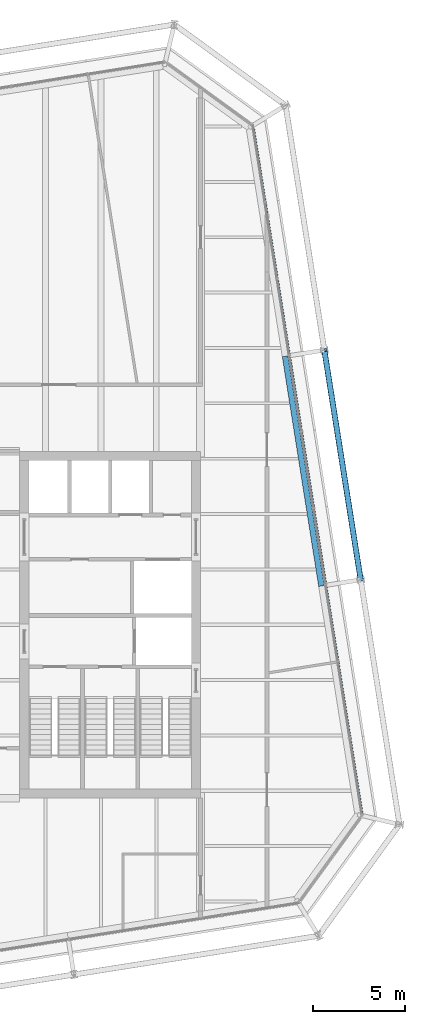
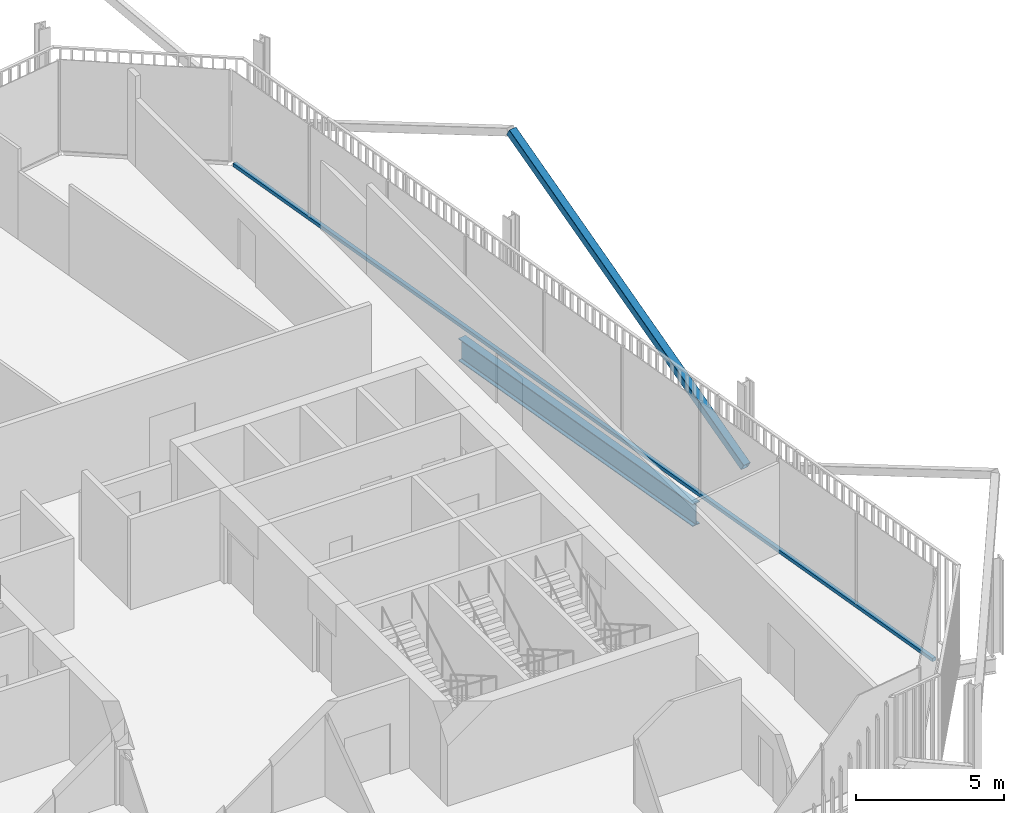
# One storey, part 10 of 21: 2 members, 1 beam, 1 element without a shape of its own.
"""IFC4 building model written with IfcOpenShell, lengths in metres."""

from ifc_helpers import new_model, si_unit, direction, frame, origin, origin_2d, place, context, subcontext, project, spatial, rectangle, hollow_rectangle, i_section, extrude, material, layer, layer_set, material_profile, profile_set, type_object, element, aggregate, save


model = new_model("IFC4")

# Units and contexts
model_context = context("Model", 3, precision=1e-05, world=origin(), true_north=direction((0.0, 1.0)))
body_context = subcontext(model_context, "Body", "Model", "MODEL_VIEW")
ifc_project = project(units=[si_unit("LENGTHUNIT", "METRE"), si_unit("AREAUNIT", "SQUARE_METRE"), si_unit("VOLUMEUNIT", "CUBIC_METRE"), si_unit("PLANEANGLEUNIT", "RADIAN"), si_unit("MASSUNIT", "GRAM", prefix="KILO")], contexts=[model_context])

# Site, building, storey
site_placement = place(None, origin())
site = spatial("IfcSite", under=ifc_project, at=site_placement, CompositionType="ELEMENT")
building_placement = place(site_placement, origin())
building = spatial("IfcBuilding", under=site, at=building_placement, Name="Millrace Tower", CompositionType="ELEMENT")
storey_placement = place(building_placement, frame((0.0, 0.0, 220.300048828125)))
storey = spatial("IfcBuildingStorey", under=building, at=storey_placement, Name="L50", CompositionType="ELEMENT", Elevation=220.300048828125)

# Curtain wall, member
ifc_material_1 = material(Name="Aluminium and glass", Category="aluminium")
ifc_layer = layer(ifc_material_1, 0.14990234375)
ifc_layer_set = layer_set([ifc_layer], Name="Aluminium and glass")
curtain_wall_type = type_object("IfcCurtainWallType", Name="CW-1 office vision curtain wall", PredefinedType="NOTDEFINED", material=ifc_layer_set)
curtain_wall_placement = place(storey_placement, origin())
curtain_wall = element("IfcCurtainWall", 1, at=curtain_wall_placement, inside=storey, type_object=curtain_wall_type, Name="Curtain wall D-F04 L50", PredefinedType="NOTDEFINED")
ifc_material_2 = material(Name="Aluminium", Category="aluminium")
ifc_material_profile_1 = material_profile(ifc_material_2, rectangle(XDim=0.14990234375, YDim=0.139892578125, at=origin_2d()))
ifc_profile_set_1 = profile_set([ifc_material_profile_1], Name="Aluminium")
member_type_1 = type_object("IfcMemberType", Name="CW-1 office vision curtain wall transom", PredefinedType="USERDEFINED", material=ifc_profile_set_1)
member_1_placement = place(storey_placement, frame((23.1318359375, -10.208740234375, 0.070068359375), z_axis=(-0.156432359726, 0.987688674042, 0.0), x_axis=(-0.987688674042, -0.156432359726, 0.0)))
member_1 = element("IfcMember", 2, at=member_1_placement, type_object=member_type_1, Name="CW1 transom D-F04.1", ObjectType="TRANSOM", PredefinedType="USERDEFINED", context=body_context, shape_type="SweptSolid", body=[
    extrude(rectangle(XDim=0.14990234375, YDim=0.139892578125, at=origin_2d()), origin(), (0.0, 0.0, 1.0), 37.599853515625),
])
aggregate(curtain_wall, [member_1])

# Member
ifc_material_3 = material(Name="Steel ASTM A500 Grade C", Category="steel")
ifc_material_profile_2 = material_profile(ifc_material_3, hollow_rectangle(XDim=0.3046875, YDim=0.3046875, WallThickness=0.0126953125, InnerFilletRadius=0.00634765625, OuterFilletRadius=0.01904296875, at=origin_2d()))
ifc_profile_set_2 = profile_set([ifc_material_profile_2], Name="Steel ASTM A500 Grade C")
member_type_2 = type_object("IfcMemberType", Name="Exoskeleton brace HSS12x12x1/2", PredefinedType="BRACE", material=ifc_profile_set_2)
member_2_placement = place(storey_placement, frame((23.07763671875, 2.4384765625, 0.39990234375), z_axis=(-0.136740080373, 0.863395126588, 0.485644937998), x_axis=(-0.987689802912, -0.156425232058, 0.0)))
element("IfcMember", 3, at=member_2_placement, inside=storey, type_object=member_type_2, Name="BRC-D-L50-07", PredefinedType="BRACE", context=body_context, shape_type="SweptSolid", body=[
    extrude(hollow_rectangle(XDim=0.3046875, YDim=0.3046875, WallThickness=0.0126953125, InnerFilletRadius=0.00634765625, OuterFilletRadius=0.01904296875, at=origin_2d()), origin(), (0.0, 0.0, 1.0), 14.413818359375),
])

# Beam
ifc_material_4 = material(Name="Steel ASTM A992 Grade 50", Category="steel")
ifc_material_profile_3 = material_profile(ifc_material_4, i_section(OverallWidth=0.307373046875, OverallDepth=0.927001953125, WebThickness=0.01953125, FlangeThickness=0.031982421875, FilletRadius=0.01904296875, at=origin_2d()))
ifc_profile_set_3 = profile_set([ifc_material_profile_3], Name="Steel ASTM A992 Grade 50")
beam_type = type_object("IfcBeamType", Name="Ring beam medium span W36x194", PredefinedType="SPANDREL", material=ifc_profile_set_3)
beam_placement = place(storey_placement, frame((18.9794921875, 14.54638671875, -0.62353515625), z_axis=(0.1564441342, -0.987686809102, 0.0), x_axis=(0.987686809102, 0.1564441342, 0.0)))
element("IfcBeam", 4, at=beam_placement, inside=storey, type_object=beam_type, Name="RNG-D-L50-S1-10", PredefinedType="SPANDREL", context=body_context, shape_type="SweptSolid", body=[
    extrude(i_section(OverallWidth=0.307373046875, OverallDepth=0.927001953125, WebThickness=0.01953125, FlangeThickness=0.031982421875, FilletRadius=0.01904296875, at=origin_2d()), origin(), (0.0, 0.0, 1.0), 12.599853515625),
])

save(model, "model.ifc")
